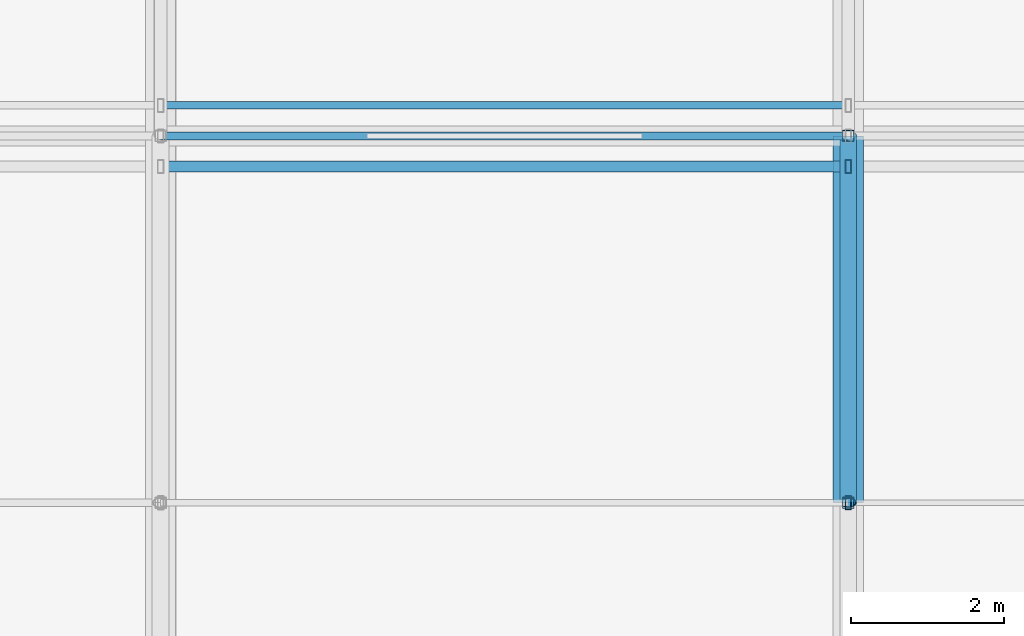
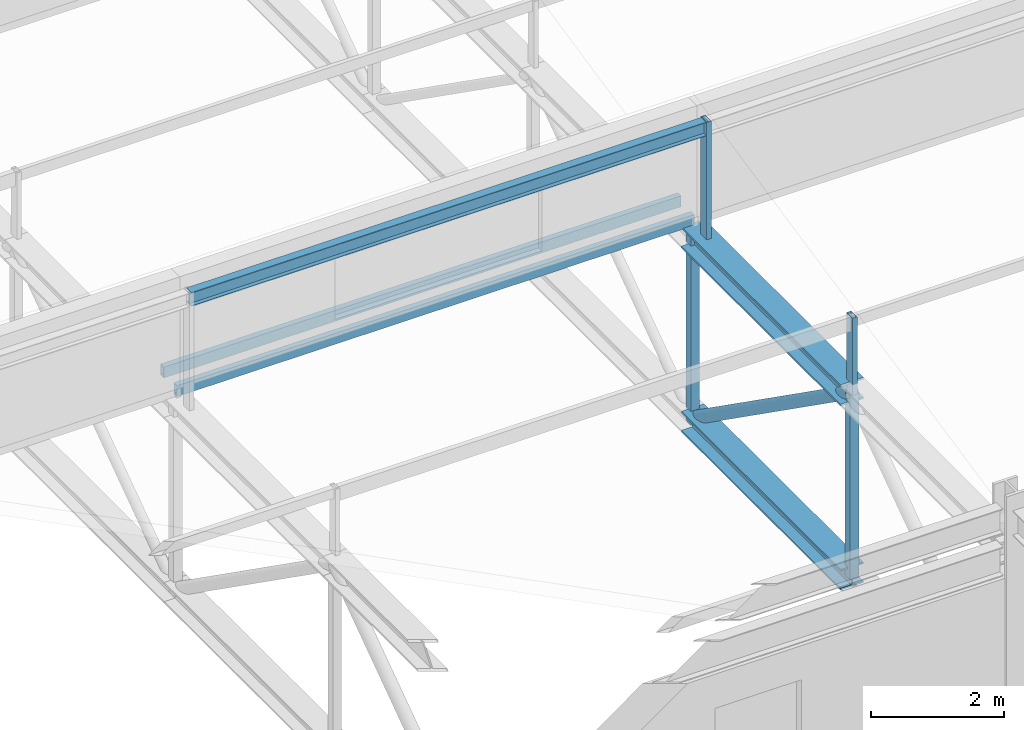
# One storey, part 29 of 136: 8 members, 2 beams.
"""IFC4 building model written with IfcOpenShell, lengths in metres."""

from ifc_helpers import new_model, si_unit, direction, frame, origin, origin_2d, place, context, subcontext, project, spatial, hollow_rectangle, hollow_circle, i_section, extrude, material, material_profile, profile_set, type_object, element, save


model = new_model("IFC4")

# Units and contexts
model_context = context("Model", 3, precision=1e-05, world=origin(), true_north=direction((0.0, 1.0)))
body_context = subcontext(model_context, "Body", "Model", "MODEL_VIEW")
ifc_project = project(units=[si_unit("LENGTHUNIT", "METRE"), si_unit("AREAUNIT", "SQUARE_METRE"), si_unit("VOLUMEUNIT", "CUBIC_METRE"), si_unit("PLANEANGLEUNIT", "RADIAN"), si_unit("MASSUNIT", "GRAM", prefix="KILO")], contexts=[model_context])

# Site, building, storey
site_placement = place(None, origin())
site = spatial("IfcSite", under=ifc_project, at=site_placement, CompositionType="ELEMENT")
building_placement = place(site_placement, origin())
building = spatial("IfcBuilding", under=site, at=building_placement, Name="Kisiwana Market Hall", CompositionType="ELEMENT")
storey_placement = place(building_placement, frame((0.0, 0.0, 16.800048828125)))
storey = spatial("IfcBuildingStorey", under=building, at=storey_placement, Name="L03", CompositionType="ELEMENT", Elevation=16.800048828125)

# Beams
ifc_material_1 = material(Name="Steel S355", Category="steel")
ifc_material_profile_1 = material_profile(ifc_material_1, i_section(OverallWidth=0.394775390625, OverallDepth=0.381103515625, WebThickness=0.018310546875, FlangeThickness=0.0302734375, at=origin_2d()), Name="UC 356x406x235")
ifc_profile_set_1 = profile_set([ifc_material_profile_1], Name="Steel S355")
beam_type_1 = type_object("IfcBeamType", Name="BM-TRUSS-BOT", PredefinedType="USERDEFINED", material=ifc_profile_set_1)
beam_1_placement = place(storey_placement, frame((117.0, 40.800048828125, 0.22998046875), z_axis=(0.0, 1.0, 0.0), x_axis=(-1.0, 0.0, 0.0)))
element("IfcBeam", 1, at=beam_1_placement, inside=storey, type_object=beam_type_1, Name="TR-06 BC panel 2 B-1279", ObjectType="ROOF TRUSS", PredefinedType="USERDEFINED", context=body_context, shape_type="SweptSolid", body=[
    extrude(i_section(OverallWidth=0.394775390625, OverallDepth=0.381103515625, WebThickness=0.018310546875, FlangeThickness=0.0302734375, at=origin_2d()), origin(), (0.0, 0.0, 1.0), 4.800048828125),
])
ifc_material_2 = material(Name="Steel S355", Category="steel")
ifc_material_profile_2 = material_profile(ifc_material_2, i_section(OverallWidth=0.39892578125, OverallDepth=0.3935546875, WebThickness=0.022705078125, FlangeThickness=0.03662109375, at=origin_2d()), Name="UC 356x406x287")
ifc_profile_set_2 = profile_set([ifc_material_profile_2], Name="Steel S355")
beam_type_2 = type_object("IfcBeamType", Name="BM-TRUSS-TOP", PredefinedType="USERDEFINED", material=ifc_profile_set_2)
beam_2_placement = place(storey_placement, frame((117.0, 40.800048828125, 3.619873046875), z_axis=(0.0, 1.0, 0.0), x_axis=(-1.0, 0.0, 0.0)))
element("IfcBeam", 2, at=beam_2_placement, inside=storey, type_object=beam_type_2, Name="TR-06 TC panel 2 B-1289", ObjectType="ROOF TRUSS", PredefinedType="USERDEFINED", context=body_context, shape_type="SweptSolid", body=[
    extrude(i_section(OverallWidth=0.39892578125, OverallDepth=0.3935546875, WebThickness=0.022705078125, FlangeThickness=0.03662109375, at=origin_2d()), origin(), (0.0, 0.0, 1.0), 4.800048828125),
])

# Members
ifc_material_3 = material(Name="Steel S355", Category="steel")
ifc_material_profile_3 = material_profile(ifc_material_3, hollow_rectangle(XDim=0.080078125, YDim=0.179931640625, WallThickness=0.00634765625, at=origin_2d()), Name="RHS 180x80x6.3")
ifc_profile_set_3 = profile_set([ifc_material_profile_3], Name="Steel S355")
member_type_1 = type_object("IfcMemberType", Name="MB-CAN-STRUT", PredefinedType="STRUT", material=ifc_profile_set_3)
member_1_placement = place(storey_placement, frame((117.0, 45.199951171875, 3.619873046875), z_axis=(0.0, 0.0, 1.0), x_axis=(1.0, 0.0, 0.0)))
element("IfcMember", 3, at=member_1_placement, inside=storey, type_object=member_type_1, Name="Sawtooth raker post 169 M-0240", PredefinedType="STRUT", context=body_context, shape_type="SweptSolid", body=[
    extrude(hollow_rectangle(XDim=0.080078125, YDim=0.179931640625, WallThickness=0.00634765625, at=origin_2d()), origin(), (0.0, 0.0, 1.0), 2.355712890625),
])
member_2_placement = place(storey_placement, frame((117.0, 40.800048828125, 3.619873046875), z_axis=(0.0, 0.0, 1.0), x_axis=(1.0, 0.0, 0.0)))
element("IfcMember", 4, at=member_2_placement, inside=storey, type_object=member_type_1, Name="Sawtooth mid-slope raker post 6 M-0058", PredefinedType="STRUT", context=body_context, shape_type="SweptSolid", body=[
    extrude(hollow_rectangle(XDim=0.080078125, YDim=0.179931640625, WallThickness=0.00634765625, at=origin_2d()), origin(), (0.0, 0.0, 1.0), 1.42041015625),
])
ifc_material_4 = material(Name="Steel S355", Category="steel")
ifc_material_profile_4 = material_profile(ifc_material_4, hollow_rectangle(XDim=0.10009765625, YDim=0.199951171875, WallThickness=0.008056640625, at=origin_2d()), Name="RHS 200x100x8.0")
ifc_profile_set_4 = profile_set([ifc_material_profile_4], Name="Steel S355")
member_type_2 = type_object("IfcMemberType", Name="MB-ROOF-PURLIN1", PredefinedType="PURLIN", material=ifc_profile_set_4)
for number, where, z_axis, x_axis, name in (
    (5, (108.0, 45.60009765625, 3.90087890625), (1.0, 0.0, 0.0), (0.0, 1.0, 0.0), "Sawtooth roof purlin 191 M-0140"),
    (6, (108.0, 46.0, 4.0009765625), (1.0, 0.0, 0.0), (0.0, 1.0, 0.0), "Sawtooth roof purlin 234 M-0159"),
):
    element("IfcMember", number, at=place(storey_placement, frame(where, z_axis=z_axis, x_axis=x_axis)), inside=storey, type_object=member_type_2, Name=name, PredefinedType="PURLIN", context=body_context, shape_type="SweptSolid", body=[
        extrude(hollow_rectangle(XDim=0.10009765625, YDim=0.199951171875, WallThickness=0.008056640625, at=origin_2d()), origin(), (0.0, 0.0, 1.0), 9.0),
    ])
ifc_material_5 = material(Name="Steel S355", Category="steel")
ifc_material_profile_5 = material_profile(ifc_material_5, i_section(OverallWidth=0.146484375, OverallDepth=0.256103515625, WebThickness=0.00634765625, FlangeThickness=0.010986328125, at=origin_2d()), Name="UB 254x146x37")
ifc_profile_set_5 = profile_set([ifc_material_profile_5], Name="Steel S355")
member_type_3 = type_object("IfcMemberType", Name="MB-ROOF-PURLIN2", PredefinedType="PURLIN", material=ifc_profile_set_5)
member_3_placement = place(storey_placement, frame((108.0, 45.199951171875, 5.843505859375), z_axis=(1.0, 0.0, 0.0), x_axis=(0.0, 1.0, 0.0)))
element("IfcMember", 7, at=member_3_placement, inside=storey, type_object=member_type_3, Name="Sawtooth roof purlin 190 M-0139", PredefinedType="PURLIN", context=body_context, shape_type="SweptSolid", body=[
    extrude(i_section(OverallWidth=0.146484375, OverallDepth=0.256103515625, WebThickness=0.00634765625, FlangeThickness=0.010986328125, at=origin_2d()), origin(), (0.0, 0.0, 1.0), 9.0),
])
ifc_material_6 = material(Name="Steel S355", Category="steel")
ifc_material_profile_6 = material_profile(ifc_material_6, hollow_circle(Radius=0.109619140625, WallThickness=0.012451171875, at=origin_2d()), Name="CHS 219.1x12.5")
ifc_profile_set_6 = profile_set([ifc_material_profile_6], Name="Steel S355")
member_type_4 = type_object("IfcMemberType", Name="MB-TR-DIAG219", PredefinedType="BRACE", material=ifc_profile_set_6)
member_4_placement = place(storey_placement, frame((117.0, 40.800048828125, 3.619873046875), z_axis=(0.0, 0.816837735077, -0.576867501732), x_axis=(-1.0, 0.0, 0.0)))
element("IfcMember", 8, at=member_4_placement, inside=storey, type_object=member_type_4, Name="TR-06 diagonal 2 M-0432", PredefinedType="BRACE", context=body_context, shape_type="SweptSolid", body=[
    extrude(hollow_circle(Radius=0.109619140625, WallThickness=0.012451171875, at=origin_2d()), origin(), (0.0, 0.0, 1.0), 5.87646484375),
])
ifc_material_7 = material(Name="Steel S355", Category="steel")
ifc_material_profile_7 = material_profile(ifc_material_7, hollow_rectangle(XDim=0.14990234375, YDim=0.14990234375, WallThickness=0.008056640625, at=origin_2d()), Name="SHS 150x150x8.0")
ifc_profile_set_7 = profile_set([ifc_material_profile_7], Name="Steel S355")
member_type_5 = type_object("IfcMemberType", Name="MB-TR-STRUT200", PredefinedType="STRUT", material=ifc_profile_set_7)
for number, where, z_axis, x_axis, name in (
    (9, (117.0, 40.800048828125, 0.22998046875), (0.0, 0.0, 1.0), (1.0, 0.0, 0.0), "TR-06 vertical strut 2 M-0441"),
    (10, (117.0, 45.60009765625, 0.22998046875), (0.0, 0.0, 1.0), (1.0, 0.0, 0.0), "TR-06 vertical strut 3 M-0442"),
):
    element("IfcMember", number, at=place(storey_placement, frame(where, z_axis=z_axis, x_axis=x_axis)), inside=storey, type_object=member_type_5, Name=name, PredefinedType="STRUT", context=body_context, shape_type="SweptSolid", body=[
        extrude(hollow_rectangle(XDim=0.14990234375, YDim=0.14990234375, WallThickness=0.008056640625, at=origin_2d()), origin(), (0.0, 0.0, 1.0), 3.389892578125),
    ])

save(model, "model.ifc")
